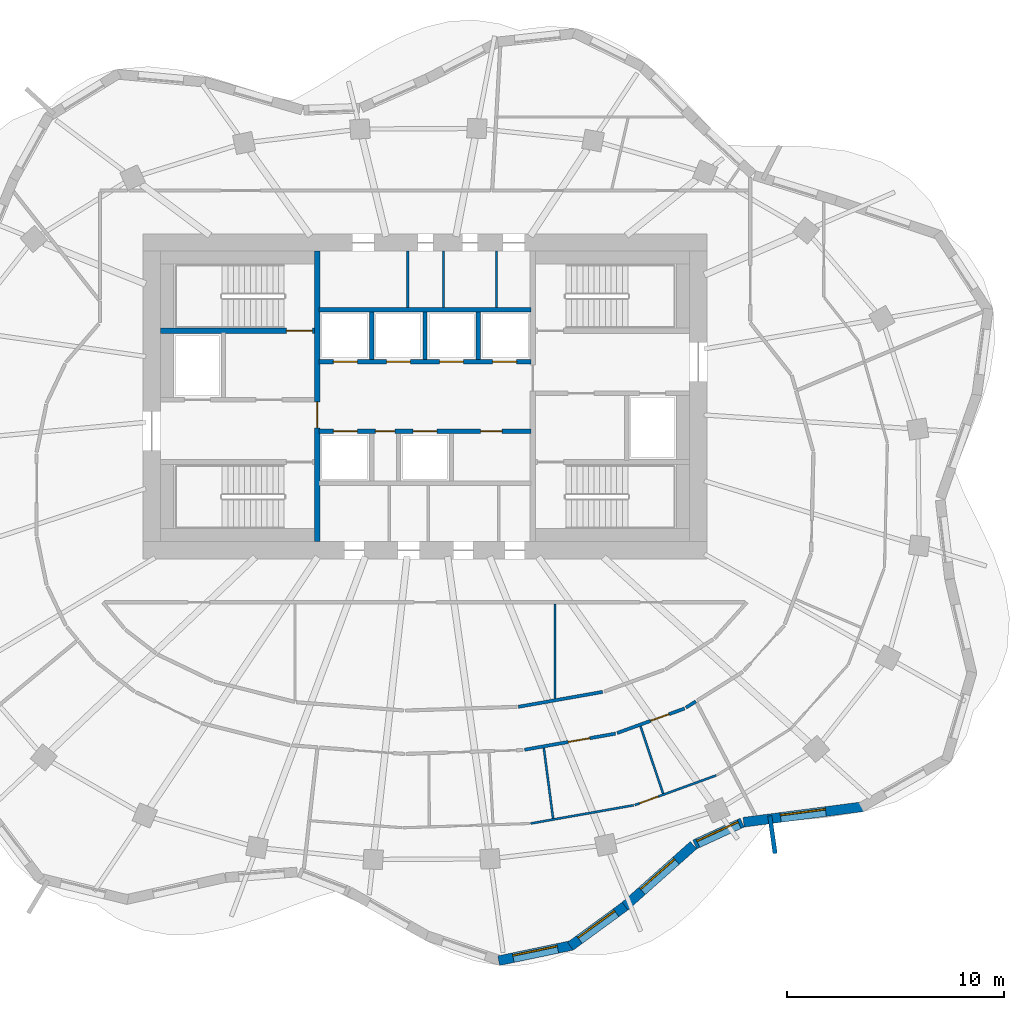
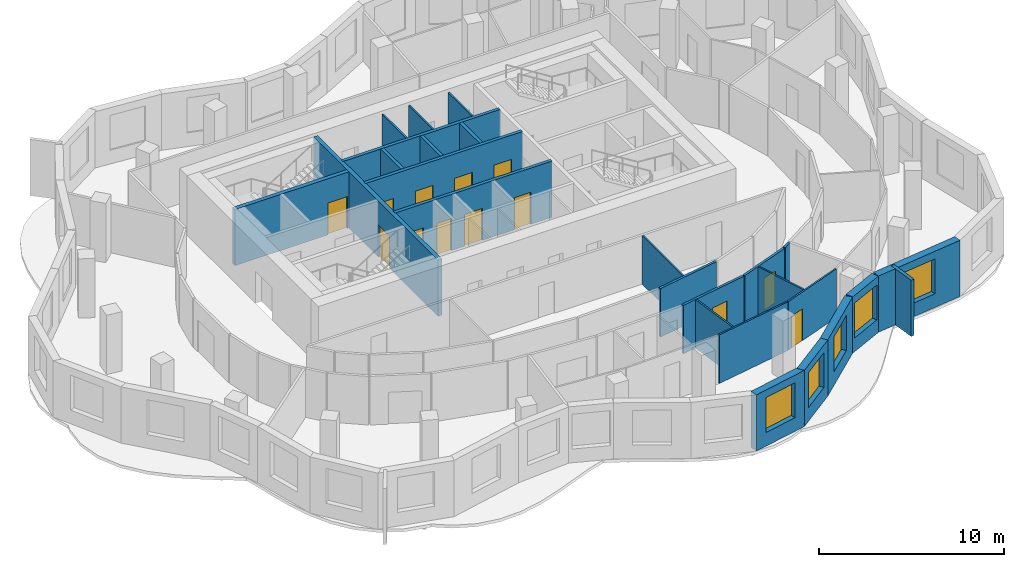
# One storey, part 5 of 9: 26 walls, 13 doors, 5 windows, 18 openings.
"""IFC4 building model written with IfcOpenShell, lengths in metres."""

import ifcopenshell
import ifcopenshell.guid

model = None  # the IFC model being written
_history = None  # IfcOwnerHistory: only IFC2X3 demands one
_inside = {}  # id of a spatial element -> (the spatial element, [elements in it])
_under = {}  # id of a project, library or spatial element -> (it, [spatial elements below it])
_declared = {}  # id of a project -> (the project, [libraries it declares])
_typed = {}  # id of a type object -> (the type object, [elements of that type])
_made_of = {}  # id of a material, layer set ... -> (it, [elements and type objects made of it])


def new_model(schema):
    """Start an empty IFC model of exactly this schema.

    Asked for "IFC4X3", IfcOpenShell would pick the latest addendum, in which some entities
    have other attributes; the version numbers below select the first issue.
    IFC2X3 requires an IfcOwnerHistory on every rooted entity: one is made here for all.
    """
    global model, _history
    if schema == "IFC4X3":
        model = ifcopenshell.file(schema_version=(4, 3, 0, 0))
    else:
        model = ifcopenshell.file(schema=schema)
    _inside.clear()
    _under.clear()
    _declared.clear()
    _typed.clear()
    _made_of.clear()
    _history = None
    if model.schema == "IFC2X3":
        org = make("IfcOrganization", Name="unknown")
        user = make(
            "IfcPersonAndOrganization",
            ThePerson=make("IfcPerson", FamilyName="unknown"),
            TheOrganization=org,
        )
        app = make(
            "IfcApplication",
            ApplicationDeveloper=org,
            Version="unknown",
            ApplicationFullName="unknown",
            ApplicationIdentifier="unknown",
        )
        _history = make(
            "IfcOwnerHistory",
            OwningUser=user,
            OwningApplication=app,
            ChangeAction="ADDED",
            CreationDate=0,
        )
    return model


def make(cls, **values):
    """One entity of the class cls with the attributes given. An attribute that is None is left unset."""
    return model.create_entity(
        cls, **{name: value for name, value in values.items() if value is not None}
    )


def rooted(cls, **values):
    """An entity with a GlobalId (a new one), such as an element, a storey or a relation."""
    return make(cls, GlobalId=ifcopenshell.guid.new(), OwnerHistory=_history, **values)


def si_unit(unit_type, name, prefix=None):
    """IfcSIUnit, for example si_unit("LENGTHUNIT", "METRE", prefix="MILLI")."""
    return make("IfcSIUnit", UnitType=unit_type, Prefix=prefix, Name=name)


def assignment(units):
    """IfcUnitAssignment: the units of a project."""
    return None if units is None else make("IfcUnitAssignment", Units=units)


def point(xyz):
    """IfcCartesianPoint."""
    return None if xyz is None else make("IfcCartesianPoint", Coordinates=xyz)


def direction(xyz):
    """IfcDirection."""
    return None if xyz is None else make("IfcDirection", DirectionRatios=xyz)


def frame(location, z_axis=None, x_axis=None):
    """IfcAxis2Placement3D, a coordinate frame: its origin and axes. An axis left out is left unset."""
    return make(
        "IfcAxis2Placement3D",
        Location=point(location),
        Axis=direction(z_axis),
        RefDirection=direction(x_axis),
    )


def frame_2d(location, x_axis=None):
    """IfcAxis2Placement2D, a coordinate frame in the plane: its origin and x axis."""
    return make(
        "IfcAxis2Placement2D", Location=point(location), RefDirection=direction(x_axis)
    )


def origin():
    """The frame at (0, 0, 0) with its axes left unset."""
    return frame((0.0, 0.0, 0.0))


def place(relative_to, where):
    """IfcLocalPlacement: puts the frame where relative to a parent placement (None: the world)."""
    return make(
        "IfcLocalPlacement", PlacementRelTo=relative_to, RelativePlacement=where
    )


def context(
    kind, dimensions, precision=None, world=None, true_north=None, identifier=None
):
    """IfcGeometricRepresentationContext, for example the 3D "Model" context."""
    return make(
        "IfcGeometricRepresentationContext",
        ContextIdentifier=identifier,
        ContextType=kind,
        CoordinateSpaceDimension=dimensions,
        Precision=precision,
        WorldCoordinateSystem=world,
        TrueNorth=true_north,
    )


def subcontext(parent, identifier, kind, view, scale=None):
    """IfcGeometricRepresentationSubContext, for example "Body" below "Model"."""
    return make(
        "IfcGeometricRepresentationSubContext",
        ContextIdentifier=identifier,
        ContextType=kind,
        ParentContext=parent,
        TargetScale=scale,
        TargetView=view,
    )


def project(units=None, contexts=None):
    """IfcProject with its units and contexts."""
    return rooted(
        "IfcProject",
        Name="project",
        RepresentationContexts=contexts,
        UnitsInContext=assignment(units),
    )


def spatial(cls, under=None, at=None, **own):
    """A site, building, storey or space (cls), placed at a placement, below another one or the project."""
    s = rooted(cls, ObjectPlacement=at, **own)
    if under is not None:
        _under.setdefault(under.id(), (under, []))[1].append(s)
    return s


def profile(cls, at=None, kind="AREA", **sizes):
    """A parametric profile (cls). Its sizes go by their IFC names, for example OverallWidth=200.0."""
    return make(cls, ProfileType=kind, Position=at, **sizes)


def rectangle(**sizes):
    """IfcRectangleProfileDef."""
    return profile("IfcRectangleProfileDef", **sizes)


def extrude(swept, where, along, depth):
    """IfcExtrudedAreaSolid: the profile swept, set in the frame where, extruded along a direction by depth."""
    return make(
        "IfcExtrudedAreaSolid",
        SweptArea=swept,
        Position=where,
        ExtrudedDirection=direction(along),
        Depth=depth,
    )


def shape(context_of_items, identifier, shape_type, items):
    """IfcShapeRepresentation: the items that make up one representation, for example the "Body"."""
    return make(
        "IfcShapeRepresentation",
        ContextOfItems=context_of_items,
        RepresentationIdentifier=identifier,
        RepresentationType=shape_type,
        Items=items,
    )


def material(Name=None, Category=None):
    """IfcMaterial."""
    return make("IfcMaterial", Name=Name, Category=Category)


def layer(
    of_material, thickness, ventilated=None, Name=None, Category=None, Priority=None
):
    """IfcMaterialLayer: one layer of a wall or slab, of a material (None: an air gap)."""
    return make(
        "IfcMaterialLayer",
        Material=of_material,
        LayerThickness=thickness,
        IsVentilated=ventilated,
        Name=Name,
        Category=Category,
        Priority=Priority,
    )


def layer_set(layers, Name=None):
    """IfcMaterialLayerSet."""
    return make("IfcMaterialLayerSet", MaterialLayers=layers, LayerSetName=Name)


def made_of(thing, what):
    """Note that an element or type object is made of a material, layer set ...; save() writes the relation."""
    if what is not None:
        _made_of.setdefault(what.id(), (what, []))[1].append(thing)
    return thing


def type_object(cls, material=None, **own):
    """A type object (cls), such as IfcWallType, which elements share."""
    return made_of(rooted(cls, **own), material)


def element(
    cls,
    number,
    at=None,
    inside=None,
    cuts=None,
    type_object=None,
    material=None,
    context=None,
    identifier="Body",
    shape_type=None,
    held_by="IfcProductDefinitionShape",
    body=None,
    shapes=None,
    **own,
):
    """One element of the class cls, such as IfcWall. Its Tag is "e" and its number.

    at: its placement. inside: the storey or other place that contains it. cuts: it is an
    opening in that element (IfcRelVoidsElement). A single representation is given by context,
    identifier, shape_type and body (its items); several are given by shapes. held_by: the class
    of the entity that holds the representations. save() writes the other relations.
    """
    e = rooted(cls, Tag="e%d" % number, ObjectPlacement=at, **own)
    if body is not None:
        shapes = [shape(context, identifier, shape_type, body)]
    if shapes is not None:
        e.Representation = make(held_by, Representations=shapes)
    if inside is not None:
        _inside.setdefault(inside.id(), (inside, []))[1].append(e)
    if cuts is not None:
        rooted(
            "IfcRelVoidsElement", RelatingBuildingElement=cuts, RelatedOpeningElement=e
        )
    if type_object is not None:
        _typed.setdefault(type_object.id(), (type_object, []))[1].append(e)
    return made_of(e, material)


def fill(opening, filler):
    """IfcRelFillsElement: the door or window that sits in an opening."""
    return rooted(
        "IfcRelFillsElement",
        RelatingOpeningElement=opening,
        RelatedBuildingElement=filler,
    )


def aggregate(whole, parts):
    """IfcRelAggregates: a whole, such as a stair, and the parts it consists of."""
    return rooted("IfcRelAggregates", RelatingObject=whole, RelatedObjects=parts)


def save(model, path):
    """Write the relations noted so far, then the file.

    IfcRelAggregates (storeys below a building ...), IfcRelContainedInSpatialStructure (elements
    in a storey), IfcRelDefinesByType, IfcRelAssociatesMaterial and IfcRelDeclares: one each for
    every whole, place, type object, material and project.
    """
    for whole, parts in _under.values():
        aggregate(whole, parts)
    for where, things in _inside.values():
        rooted(
            "IfcRelContainedInSpatialStructure",
            RelatedElements=things,
            RelatingStructure=where,
        )
    for kind, things in _typed.values():
        rooted("IfcRelDefinesByType", RelatedObjects=things, RelatingType=kind)
    for what, things in _made_of.values():
        rooted("IfcRelAssociatesMaterial", RelatedObjects=things, RelatingMaterial=what)
    for by, libraries in _declared.values():
        rooted("IfcRelDeclares", RelatingContext=by, RelatedDefinitions=libraries)
    model.write(path)


model = new_model("IFC4")

# Units and contexts
model_context = context("Model", 3, precision=1e-05, world=origin(), true_north=direction((0.0, 1.0)))
body_context = subcontext(model_context, "Body", "Model", "MODEL_VIEW")
ifc_project = project(units=[si_unit("LENGTHUNIT", "METRE"), si_unit("AREAUNIT", "SQUARE_METRE"), si_unit("VOLUMEUNIT", "CUBIC_METRE"), si_unit("PLANEANGLEUNIT", "RADIAN"), si_unit("MASSUNIT", "GRAM", prefix="KILO")], contexts=[model_context])

# Site, building, storey
site_placement = place(None, origin())
site = spatial("IfcSite", under=ifc_project, at=site_placement, CompositionType="ELEMENT")
building_placement = place(site_placement, origin())
building = spatial("IfcBuilding", under=site, at=building_placement, Name="Rubra Terraces Tower", CompositionType="ELEMENT")
storey_placement = place(building_placement, frame((0.0, 0.0, 284.39990234375)))
storey = spatial("IfcBuildingStorey", under=building, at=storey_placement, Name="L70", CompositionType="ELEMENT", Elevation=284.39990234375)

# Wall, opening, window
ifc_material_1 = material(Name="Brick masonry red-brown", Category="masonry")
ifc_layer_1 = layer(ifc_material_1, 0.449951171875)
ifc_layer_set_1 = layer_set([ifc_layer_1], Name="Brick masonry red-brown")
wall_type_1 = type_object("IfcWallType", Name="Brick facade wall 450", PredefinedType="SOLIDWALL", material=ifc_layer_set_1)
wall_1_placement = place(storey_placement, frame((3.39892578125, -21.53173828125, 0.0), z_axis=(0.0, 0.0, 1.0), x_axis=(0.978915912181, 0.204263645512, 0.0)))
wall_1 = element("IfcWall", 1, at=wall_1_placement, inside=storey, type_object=wall_type_1, Name="Facade wall L70 bay 32", PredefinedType="SOLIDWALL", context=body_context, shape_type="SweptSolid", body=[
    extrude(rectangle(XDim=3.466064453125, YDim=0.449951171875, at=frame_2d((1.73291015625, 0.0))), origin(), (0.0, 0.0, 1.0), 3.7001953125),
])
opening_1_placement = place(wall_1_placement, frame((0.68310546875, 0.0, 0.89990234375)))
opening_1 = element("IfcOpeningElement", 2, at=opening_1_placement, cuts=wall_1, Name="Opening W1B", PredefinedType="OPENING", context=body_context, shape_type="SweptSolid", body=[
    extrude(rectangle(XDim=2.10009765625, YDim=2.300048828125, at=frame_2d((1.050048828125, 1.14990234375))), frame((0.0, 0.23486328125, 0.0), z_axis=(0.0, -1.0, 0.0), x_axis=(1.0, 0.0, 0.0)), (0.0, 0.0, 1.0), 0.469970703125),
])
ifc_material_2 = material(Name="Clear glass in aluminium frame", Category="aluminium")
window_type = type_object("IfcWindowType", Name="Fixed deep-set window tall storey 2100 x 2300", PartitioningType="SINGLE_PANEL", PredefinedType="WINDOW", material=ifc_material_2)
window_1_placement = place(opening_1_placement, origin())
window_1 = element("IfcWindow", 3, at=window_1_placement, inside=storey, type_object=window_type, Name="Window L70 bay 32", OverallHeight=2.300048828125, OverallWidth=2.10009765625, PartitioningType="SINGLE_PANEL", PredefinedType="WINDOW", context=body_context, shape_type="SweptSolid", body=[
    extrude(rectangle(XDim=2.10009765625, YDim=2.300048828125, at=frame_2d((1.050048828125, 1.14990234375))), frame((0.0, 0.135009765625, 0.0), z_axis=(0.0, -1.0, 0.0), x_axis=(1.0, 0.0, 0.0)), (0.0, 0.0, 1.0), 0.06005859375),
])
fill(opening_1, window_1)

wall_2_placement = place(storey_placement, frame((6.705078125, -20.8623046875, 0.0), z_axis=(0.0, 0.0, 1.0), x_axis=(0.806921336267, 0.590658917716, 0.0)))
wall_2 = element("IfcWall", 4, at=wall_2_placement, inside=storey, type_object=wall_type_1, Name="Facade wall L70 bay 33", PredefinedType="SOLIDWALL", context=body_context, shape_type="SweptSolid", body=[
    extrude(rectangle(XDim=3.124755859375, YDim=0.449951171875, at=frame_2d((1.5625, 0.0))), origin(), (0.0, 0.0, 1.0), 3.7001953125),
])
opening_2_placement = place(wall_2_placement, frame((0.512451171875, 0.0, 0.89990234375)))
opening_2 = element("IfcOpeningElement", 5, at=opening_2_placement, cuts=wall_2, Name="Opening W1B", PredefinedType="OPENING", context=body_context, shape_type="SweptSolid", body=[
    extrude(rectangle(XDim=2.10009765625, YDim=2.300048828125, at=frame_2d((1.050048828125, 1.14990234375))), frame((0.0, 0.23486328125, 0.0), z_axis=(0.0, -1.0, 0.0), x_axis=(1.0, 0.0, 0.0)), (0.0, 0.0, 1.0), 0.469970703125),
])
window_2_placement = place(opening_2_placement, origin())
window_2 = element("IfcWindow", 6, at=window_2_placement, inside=storey, type_object=window_type, Name="Window L70 bay 33", OverallHeight=2.300048828125, OverallWidth=2.10009765625, PartitioningType="SINGLE_PANEL", PredefinedType="WINDOW", context=body_context, shape_type="SweptSolid", body=[
    extrude(rectangle(XDim=2.10009765625, YDim=2.300048828125, at=frame_2d((1.050048828125, 1.14990234375))), frame((0.0, 0.135009765625, 0.0), z_axis=(0.0, -1.0, 0.0), x_axis=(1.0, 0.0, 0.0)), (0.0, 0.0, 1.0), 0.06005859375),
])
fill(opening_2, window_2)

wall_3_placement = place(storey_placement, frame((9.2099609375, -19.030029296875, 0.0), z_axis=(0.0, 0.0, 1.0), x_axis=(0.747396648191, 0.664378092861, 0.0)))
wall_3 = element("IfcWall", 7, at=wall_3_placement, inside=storey, type_object=wall_type_1, Name="Facade wall L70 bay 34", PredefinedType="SOLIDWALL", context=body_context, shape_type="SweptSolid", body=[
    extrude(rectangle(XDim=4.25244140625, YDim=0.449951171875, at=frame_2d((2.126220703125, 0.0))), origin(), (0.0, 0.0, 1.0), 3.7001953125),
])
opening_3_placement = place(wall_3_placement, frame((1.076171875, 0.0, 0.89990234375)))
opening_3 = element("IfcOpeningElement", 8, at=opening_3_placement, cuts=wall_3, Name="Opening W1B", PredefinedType="OPENING", context=body_context, shape_type="SweptSolid", body=[
    extrude(rectangle(XDim=2.10009765625, YDim=2.300048828125, at=frame_2d((1.050048828125, 1.14990234375))), frame((0.0, 0.23486328125, 0.0), z_axis=(0.0, -1.0, 0.0), x_axis=(1.0, 0.0, 0.0)), (0.0, 0.0, 1.0), 0.469970703125),
])
window_3_placement = place(opening_3_placement, origin())
window_3 = element("IfcWindow", 9, at=window_3_placement, inside=storey, type_object=window_type, Name="Window L70 bay 34", OverallHeight=2.300048828125, OverallWidth=2.10009765625, PartitioningType="SINGLE_PANEL", PredefinedType="WINDOW", context=body_context, shape_type="SweptSolid", body=[
    extrude(rectangle(XDim=2.10009765625, YDim=2.300048828125, at=frame_2d((1.050048828125, 1.14990234375))), frame((0.0, 0.135009765625, 0.0), z_axis=(0.0, -1.0, 0.0), x_axis=(1.0, 0.0, 0.0)), (0.0, 0.0, 1.0), 0.06005859375),
])
fill(opening_3, window_3)

wall_4_placement = place(storey_placement, frame((12.443603515625, -16.168701171875, 0.0), z_axis=(0.0, 0.0, 1.0), x_axis=(0.908468904074, 0.417952449844, 0.0)))
wall_4 = element("IfcWall", 10, at=wall_4_placement, inside=storey, type_object=wall_type_1, Name="Facade wall L70 bay 35", PredefinedType="SOLIDWALL", context=body_context, shape_type="SweptSolid", body=[
    extrude(rectangle(XDim=2.408935546875, YDim=0.449951171875, at=frame_2d((1.20458984375, 0.0))), origin(), (0.0, 0.0, 1.0), 3.7001953125),
])
opening_4_placement = place(wall_4_placement, frame((0.154541015625, 0.0, 0.89990234375)))
opening_4 = element("IfcOpeningElement", 11, at=opening_4_placement, cuts=wall_4, Name="Opening W1B", PredefinedType="OPENING", context=body_context, shape_type="SweptSolid", body=[
    extrude(rectangle(XDim=2.10009765625, YDim=2.300048828125, at=frame_2d((1.050048828125, 1.14990234375))), frame((0.0, 0.23486328125, 0.0), z_axis=(0.0, -1.0, 0.0), x_axis=(1.0, 0.0, 0.0)), (0.0, 0.0, 1.0), 0.469970703125),
])
window_4_placement = place(opening_4_placement, origin())
window_4 = element("IfcWindow", 12, at=window_4_placement, inside=storey, type_object=window_type, Name="Window L70 bay 35", OverallHeight=2.300048828125, OverallWidth=2.10009765625, PartitioningType="SINGLE_PANEL", PredefinedType="WINDOW", context=body_context, shape_type="SweptSolid", body=[
    extrude(rectangle(XDim=2.10009765625, YDim=2.300048828125, at=frame_2d((1.050048828125, 1.14990234375))), frame((0.0, 0.135009765625, 0.0), z_axis=(0.0, -1.0, 0.0), x_axis=(1.0, 0.0, 0.0)), (0.0, 0.0, 1.0), 0.06005859375),
])
fill(opening_4, window_4)

wall_5_placement = place(storey_placement, frame((14.697265625, -15.143310546875, 0.0), z_axis=(0.0, 0.0, 1.0), x_axis=(0.991631798411, 0.129098320597, 0.0)))
wall_5 = element("IfcWall", 13, at=wall_5_placement, inside=storey, type_object=wall_type_1, Name="Facade wall L70 bay 36", PredefinedType="SOLIDWALL", context=body_context, shape_type="SweptSolid", body=[
    extrude(rectangle(XDim=5.546630859375, YDim=0.449951171875, at=frame_2d((2.7734375, 0.0))), origin(), (0.0, 0.0, 1.0), 3.7001953125),
])
opening_5_placement = place(wall_5_placement, frame((1.723388671875, 0.0, 0.89990234375)))
opening_5 = element("IfcOpeningElement", 14, at=opening_5_placement, cuts=wall_5, Name="Opening W1B", PredefinedType="OPENING", context=body_context, shape_type="SweptSolid", body=[
    extrude(rectangle(XDim=2.10009765625, YDim=2.300048828125, at=frame_2d((1.050048828125, 1.14990234375))), frame((0.0, 0.23486328125, 0.0), z_axis=(0.0, -1.0, 0.0), x_axis=(1.0, 0.0, 0.0)), (0.0, 0.0, 1.0), 0.469970703125),
])
window_5_placement = place(opening_5_placement, origin())
window_5 = element("IfcWindow", 15, at=window_5_placement, inside=storey, type_object=window_type, Name="Window L70 bay 36", OverallHeight=2.300048828125, OverallWidth=2.10009765625, PartitioningType="SINGLE_PANEL", PredefinedType="WINDOW", context=body_context, shape_type="SweptSolid", body=[
    extrude(rectangle(XDim=2.10009765625, YDim=2.300048828125, at=frame_2d((1.050048828125, 1.14990234375))), frame((0.0, 0.135009765625, 0.0), z_axis=(0.0, -1.0, 0.0), x_axis=(1.0, 0.0, 0.0)), (0.0, 0.0, 1.0), 0.06005859375),
])
fill(opening_5, window_5)

# Wall
ifc_layer_2 = layer(ifc_material_1, 0.199951171875)
ifc_layer_set_2 = layer_set([ifc_layer_2], Name="Brick masonry red-brown")
wall_type_2 = type_object("IfcWallType", Name="Brick wind fin 200", PredefinedType="SOLIDWALL", material=ifc_layer_set_2)
wall_6_placement = place(storey_placement, frame((15.905029296875, -14.85009765625, 0.0), z_axis=(0.0, 0.0, 1.0), x_axis=(0.140913490987, -0.990021912918, 0.0)))
element("IfcWall", 16, at=wall_6_placement, inside=storey, type_object=wall_type_2, Name="Wind fin L70 18", PredefinedType="SOLIDWALL", context=body_context, shape_type="SweptSolid", body=[
    extrude(rectangle(XDim=1.75, YDim=0.199951171875, at=frame_2d((0.875, 0.0))), origin(), (0.0, 0.0, 1.0), 3.7001953125),
])

# Wall, opening, door
ifc_material_3 = material(Name="Plasterboard on steel stud, mineral wool infill", Category="steel")
ifc_layer_3 = layer(ifc_material_3, 0.14990234375)
ifc_layer_set_3 = layer_set([ifc_layer_3], Name="Plasterboard on steel stud, mineral wool infill")
wall_type_3 = type_object("IfcWallType", Name="CORRIDOR PARTITION 150", PredefinedType="PARTITIONING", material=ifc_layer_set_3)
wall_7_placement = place(storey_placement, frame((4.593505859375, -11.798583984375, 0.0), z_axis=(0.0, 0.0, 1.0), x_axis=(0.984693444773, 0.174295208833, 0.0)))
wall_7 = element("IfcWall", 17, at=wall_7_placement, inside=storey, type_object=wall_type_3, Name="PARTITION", PredefinedType="PARTITIONING", context=body_context, shape_type="SweptSolid", body=[
    extrude(rectangle(XDim=4.260986328125, YDim=0.14990234375, at=frame_2d((2.13037109375, 0.0))), origin(), (0.0, 0.0, 1.0), 3.197998046875),
])
opening_6_placement = place(wall_7_placement, frame((2.050048828125, 0.0, 0.0)))
opening_6 = element("IfcOpeningElement", 18, at=opening_6_placement, cuts=wall_7, Name="Opening 70-117", PredefinedType="OPENING", context=body_context, shape_type="SweptSolid", body=[
    extrude(rectangle(XDim=1.0, YDim=2.10009765625, at=frame_2d((0.5, 1.050048828125))), frame((0.0, 0.0849609375, 0.0), z_axis=(0.0, -1.0, 0.0), x_axis=(1.0, 0.0, 0.0)), (0.0, 0.0, 1.0), 0.169921875),
])
ifc_material_4 = material(Name="Painted timber door leaf", Category="wood")
door_type_1 = type_object("IfcDoorType", Name="ROOM DOOR 1000 X 2100", OperationType="SINGLE_SWING_LEFT", PredefinedType="DOOR", material=ifc_material_4)
door_1_placement = place(opening_6_placement, origin())
door_1 = element("IfcDoor", 19, at=door_1_placement, inside=storey, type_object=door_type_1, Name="DOOR 70-117", OperationType="SINGLE_SWING_RIGHT", OverallHeight=2.10009765625, OverallWidth=1.0, PredefinedType="DOOR", context=body_context, shape_type="SweptSolid", body=[
    extrude(rectangle(XDim=1.0, YDim=2.10009765625, at=frame_2d((0.5, 1.050048828125))), frame((0.0, 0.02490234375, 0.0), z_axis=(0.0, -1.0, 0.0), x_axis=(1.0, 0.0, 0.0)), (0.0, 0.0, 1.0), 0.050048828125),
])
fill(opening_6, door_1)

wall_8_placement = place(storey_placement, frame((8.85986328125, -11.030029296875, 0.0), z_axis=(0.0, 0.0, 1.0), x_axis=(0.939685902536, 0.342038601001, 0.0)))
wall_8 = element("IfcWall", 20, at=wall_8_placement, inside=storey, type_object=wall_type_3, Name="PARTITION", PredefinedType="PARTITIONING", context=body_context, shape_type="SweptSolid", body=[
    extrude(rectangle(XDim=3.316162109375, YDim=0.14990234375, at=frame_2d((1.658203125, 0.0))), origin(), (0.0, 0.0, 1.0), 3.197998046875),
])
opening_7_placement = place(wall_8_placement, frame((1.64990234375, 0.0, 0.0)))
opening_7 = element("IfcOpeningElement", 21, at=opening_7_placement, cuts=wall_8, Name="Opening 70-118", PredefinedType="OPENING", context=body_context, shape_type="SweptSolid", body=[
    extrude(rectangle(XDim=0.89990234375, YDim=2.10009765625, at=frame_2d((0.449951171875, 1.050048828125))), frame((0.0, 0.0849609375, 0.0), z_axis=(0.0, -1.0, 0.0), x_axis=(1.0, 0.0, 0.0)), (0.0, 0.0, 1.0), 0.169921875),
])
door_type_2 = type_object("IfcDoorType", Name="BATHROOM DOOR 900 X 2100", OperationType="SINGLE_SWING_LEFT", PredefinedType="DOOR", material=ifc_material_4)
door_2_placement = place(opening_7_placement, origin())
door_2 = element("IfcDoor", 22, at=door_2_placement, inside=storey, type_object=door_type_2, Name="DOOR 70-118", OperationType="SINGLE_SWING_RIGHT", OverallHeight=2.10009765625, OverallWidth=0.89990234375, PredefinedType="DOOR", context=body_context, shape_type="SweptSolid", body=[
    extrude(rectangle(XDim=0.89990234375, YDim=2.10009765625, at=frame_2d((0.449951171875, 1.050048828125))), frame((0.0, 0.02490234375, 0.0), z_axis=(0.0, -1.0, 0.0), x_axis=(1.0, 0.0, 0.0)), (0.0, 0.0, 1.0), 0.050048828125),
])
fill(opening_7, door_2)

# Walls
wall_9_placement = place(storey_placement, frame((12.03955078125, -9.85595703125, 0.0), z_axis=(0.0, 0.0, 1.0), x_axis=(0.846240393033, 0.532801273647, 0.0)))
element("IfcWall", 23, at=wall_9_placement, inside=storey, type_object=wall_type_3, Name="PARTITION", PredefinedType="PARTITIONING", context=body_context, shape_type="SweptSolid", body=[
    extrude(rectangle(XDim=0.539794921875, YDim=0.14990234375, at=frame_2d((0.27001953125, 0.0))), origin(), (0.0, 0.0, 1.0), 3.197998046875),
])
wall_10_placement = place(storey_placement, frame((8.1953125, -9.1298828125, 0.0), z_axis=(0.0, 0.0, 1.0), x_axis=(-0.9846880937, -0.174325437403, 0.0)))
element("IfcWall", 24, at=wall_10_placement, inside=storey, type_object=wall_type_3, Name="PARTITION", PredefinedType="PARTITIONING", context=body_context, shape_type="SweptSolid", body=[
    extrude(rectangle(XDim=3.945068359375, YDim=0.14990234375, at=frame_2d((1.97265625, 0.0))), origin(), (0.0, 0.0, 1.0), 3.197998046875),
])

# Wall, openings, doors
ifc_material_5 = material(Name="Concrete C30", Category="concrete")
ifc_layer_4 = layer(ifc_material_5, 0.199951171875)
ifc_layer_set_4 = layer_set([ifc_layer_4], Name="Concrete C30")
wall_type_4 = type_object("IfcWallType", Name="Core wall 200 concrete", PredefinedType="SOLIDWALL", material=ifc_layer_set_4)
wall_11_placement = place(storey_placement, frame((-4.89990234375, 2.89990234375, 0.0), z_axis=(0.0, 0.0, 1.0), x_axis=(1.0, 0.0, 0.0)))
wall_11 = element("IfcWall", 25, at=wall_11_placement, inside=storey, type_object=wall_type_4, Name="LIFT SHAFT WALL L70", PredefinedType="SOLIDWALL", context=body_context, shape_type="SweptSolid", body=[
    extrude(rectangle(XDim=9.7998046875, YDim=0.199951171875, at=frame_2d((4.89990234375, 0.0))), origin(), (0.0, 0.0, 1.0), 3.7001953125),
])
opening_8_placement = place(wall_11_placement, frame((0.675048828125, 0.0, 0.0)))
opening_8 = element("IfcOpeningElement", 26, at=opening_8_placement, cuts=wall_11, Name="Opening L70.C13", PredefinedType="OPENING", context=body_context, shape_type="SweptSolid", body=[
    extrude(rectangle(XDim=1.10009765625, YDim=2.10009765625, at=frame_2d((0.550048828125, 1.050048828125))), frame((0.0, 0.10986328125, 0.0), z_axis=(0.0, -1.0, 0.0), x_axis=(1.0, 0.0, 0.0)), (0.0, 0.0, 1.0), 0.219970703125),
])
opening_9_placement = place(wall_11_placement, frame((2.613037109375, 0.0, 0.0)))
opening_9 = element("IfcOpeningElement", 27, at=opening_9_placement, cuts=wall_11, Name="Opening L70.C14", PredefinedType="OPENING", context=body_context, shape_type="SweptSolid", body=[
    extrude(rectangle(XDim=0.89990234375, YDim=2.10009765625, at=frame_2d((0.449951171875, 1.050048828125))), frame((0.0, 0.10986328125, 0.0), z_axis=(0.0, -1.0, 0.0), x_axis=(1.0, 0.0, 0.0)), (0.0, 0.0, 1.0), 0.219970703125),
])
opening_10_placement = place(wall_11_placement, frame((4.35009765625, 0.0, 0.0)))
opening_10 = element("IfcOpeningElement", 28, at=opening_10_placement, cuts=wall_11, Name="Opening L70.C15", PredefinedType="OPENING", context=body_context, shape_type="SweptSolid", body=[
    extrude(rectangle(XDim=1.10009765625, YDim=2.10009765625, at=frame_2d((0.550048828125, 1.050048828125))), frame((0.0, 0.10986328125, 0.0), z_axis=(0.0, -1.0, 0.0), x_axis=(1.0, 0.0, 0.0)), (0.0, 0.0, 1.0), 0.219970703125),
])
opening_11_placement = place(wall_11_placement, frame((7.462890625, 0.0, 0.0)))
opening_11 = element("IfcOpeningElement", 29, at=opening_11_placement, cuts=wall_11, Name="Opening L70.C16", PredefinedType="OPENING", context=body_context, shape_type="SweptSolid", body=[
    extrude(rectangle(XDim=1.0, YDim=2.10009765625, at=frame_2d((0.5, 1.050048828125))), frame((0.0, 0.10986328125, 0.0), z_axis=(0.0, -1.0, 0.0), x_axis=(1.0, 0.0, 0.0)), (0.0, 0.0, 1.0), 0.219970703125),
])
ifc_material_6 = material(Name="Painted steel", Category="steel")
door_type_3 = type_object("IfcDoorType", Name="Fire door 1000x2100 single", OperationType="NOTDEFINED", PredefinedType="DOOR", material=ifc_material_6)
door_3_placement = place(opening_11_placement, origin())
door_3 = element("IfcDoor", 30, at=door_3_placement, inside=storey, type_object=door_type_3, Name="Security and building control room door", OperationType="SINGLE_SWING_RIGHT", OverallHeight=2.10009765625, OverallWidth=1.0, PredefinedType="DOOR", context=body_context, shape_type="SweptSolid", body=[
    extrude(rectangle(XDim=1.0, YDim=2.10009765625, at=frame_2d((0.5, 1.050048828125))), frame((0.0, 0.02490234375, 0.0), z_axis=(0.0, -1.0, 0.0), x_axis=(1.0, 0.0, 0.0)), (0.0, 0.0, 1.0), 0.050048828125),
])
fill(opening_11, door_3)
door_type_4 = type_object("IfcDoorType", Name="Fire door 900x2100 single", OperationType="NOTDEFINED", PredefinedType="DOOR", material=ifc_material_6)
door_4_placement = place(opening_9_placement, origin())
door_4 = element("IfcDoor", 31, at=door_4_placement, inside=storey, type_object=door_type_4, Name="Cleaner's store door", OperationType="SINGLE_SWING_RIGHT", OverallHeight=2.10009765625, OverallWidth=0.89990234375, PredefinedType="DOOR", context=body_context, shape_type="SweptSolid", body=[
    extrude(rectangle(XDim=0.89990234375, YDim=2.10009765625, at=frame_2d((0.449951171875, 1.050048828125))), frame((0.0, 0.02490234375, 0.0), z_axis=(0.0, -1.0, 0.0), x_axis=(1.0, 0.0, 0.0)), (0.0, 0.0, 1.0), 0.050048828125),
])
fill(opening_9, door_4)
ifc_material_7 = material(Name="Stainless steel", Category="steel")
door_type_5 = type_object("IfcDoorType", Name="Lift landing door 1100x2100", OperationType="NOTDEFINED", PredefinedType="DOOR", material=ifc_material_7)
door_5_placement = place(opening_8_placement, origin())
door_5 = element("IfcDoor", 32, at=door_5_placement, inside=storey, type_object=door_type_5, Name="Landing door HB1", OperationType="SLIDING_TO_RIGHT", OverallHeight=2.10009765625, OverallWidth=1.10009765625, PredefinedType="DOOR", context=body_context, shape_type="SweptSolid", body=[
    extrude(rectangle(XDim=1.10009765625, YDim=2.10009765625, at=frame_2d((0.550048828125, 1.050048828125))), frame((0.0, 0.02490234375, 0.0), z_axis=(0.0, -1.0, 0.0), x_axis=(1.0, 0.0, 0.0)), (0.0, 0.0, 1.0), 0.050048828125),
])
fill(opening_8, door_5)
door_6_placement = place(opening_10_placement, origin())
door_6 = element("IfcDoor", 33, at=door_6_placement, inside=storey, type_object=door_type_5, Name="Landing door HB2", OperationType="SLIDING_TO_LEFT", OverallHeight=2.10009765625, OverallWidth=1.10009765625, PredefinedType="DOOR", context=body_context, shape_type="SweptSolid", body=[
    extrude(rectangle(XDim=1.10009765625, YDim=2.10009765625, at=frame_2d((0.550048828125, 1.050048828125))), frame((0.0, 0.02490234375, 0.0), z_axis=(0.0, -1.0, 0.0), x_axis=(1.0, 0.0, 0.0)), (0.0, 0.0, 1.0), 0.050048828125),
])
fill(opening_10, door_6)

wall_12_placement = place(storey_placement, frame((-4.89990234375, 6.10009765625, 0.0), z_axis=(0.0, 0.0, 1.0), x_axis=(1.0, 0.0, 0.0)))
wall_12 = element("IfcWall", 34, at=wall_12_placement, inside=storey, type_object=wall_type_4, Name="LIFT SHAFT WALL L70", PredefinedType="SOLIDWALL", context=body_context, shape_type="SweptSolid", body=[
    extrude(rectangle(XDim=9.7998046875, YDim=0.199951171875, at=frame_2d((4.89990234375, 0.0))), origin(), (0.0, 0.0, 1.0), 3.7001953125),
])
opening_12_placement = place(wall_12_placement, frame((0.675048828125, 0.0, 0.0)))
opening_12 = element("IfcOpeningElement", 35, at=opening_12_placement, cuts=wall_12, Name="Opening L70.C17", PredefinedType="OPENING", context=body_context, shape_type="SweptSolid", body=[
    extrude(rectangle(XDim=1.10009765625, YDim=2.10009765625, at=frame_2d((0.550048828125, 1.050048828125))), frame((0.0, 0.10986328125, 0.0), z_axis=(0.0, -1.0, 0.0), x_axis=(1.0, 0.0, 0.0)), (0.0, 0.0, 1.0), 0.219970703125),
])
opening_13_placement = place(wall_12_placement, frame((3.125, 0.0, 0.0)))
opening_13 = element("IfcOpeningElement", 36, at=opening_13_placement, cuts=wall_12, Name="Opening L70.C18", PredefinedType="OPENING", context=body_context, shape_type="SweptSolid", body=[
    extrude(rectangle(XDim=1.10009765625, YDim=2.10009765625, at=frame_2d((0.550048828125, 1.050048828125))), frame((0.0, 0.10986328125, 0.0), z_axis=(0.0, -1.0, 0.0), x_axis=(1.0, 0.0, 0.0)), (0.0, 0.0, 1.0), 0.219970703125),
])
opening_14_placement = place(wall_12_placement, frame((5.574951171875, 0.0, 0.0)))
opening_14 = element("IfcOpeningElement", 37, at=opening_14_placement, cuts=wall_12, Name="Opening L70.C19", PredefinedType="OPENING", context=body_context, shape_type="SweptSolid", body=[
    extrude(rectangle(XDim=1.10009765625, YDim=2.10009765625, at=frame_2d((0.550048828125, 1.050048828125))), frame((0.0, 0.10986328125, 0.0), z_axis=(0.0, -1.0, 0.0), x_axis=(1.0, 0.0, 0.0)), (0.0, 0.0, 1.0), 0.219970703125),
])
opening_15_placement = place(wall_12_placement, frame((8.02490234375, 0.0, 0.0)))
opening_15 = element("IfcOpeningElement", 38, at=opening_15_placement, cuts=wall_12, Name="Opening L70.C20", PredefinedType="OPENING", context=body_context, shape_type="SweptSolid", body=[
    extrude(rectangle(XDim=1.10009765625, YDim=2.10009765625, at=frame_2d((0.550048828125, 1.050048828125))), frame((0.0, 0.10986328125, 0.0), z_axis=(0.0, -1.0, 0.0), x_axis=(1.0, 0.0, 0.0)), (0.0, 0.0, 1.0), 0.219970703125),
])
door_7_placement = place(opening_12_placement, origin())
door_7 = element("IfcDoor", 39, at=door_7_placement, inside=storey, type_object=door_type_5, Name="Landing door HB3", OperationType="SLIDING_TO_RIGHT", OverallHeight=2.10009765625, OverallWidth=1.10009765625, PredefinedType="DOOR", context=body_context, shape_type="SweptSolid", body=[
    extrude(rectangle(XDim=1.10009765625, YDim=2.10009765625, at=frame_2d((0.550048828125, 1.050048828125))), frame((0.0, 0.02490234375, 0.0), z_axis=(0.0, -1.0, 0.0), x_axis=(1.0, 0.0, 0.0)), (0.0, 0.0, 1.0), 0.050048828125),
])
fill(opening_12, door_7)
door_8_placement = place(opening_13_placement, origin())
door_8 = element("IfcDoor", 40, at=door_8_placement, inside=storey, type_object=door_type_5, Name="Landing door HB4", OperationType="SLIDING_TO_LEFT", OverallHeight=2.10009765625, OverallWidth=1.10009765625, PredefinedType="DOOR", context=body_context, shape_type="SweptSolid", body=[
    extrude(rectangle(XDim=1.10009765625, YDim=2.10009765625, at=frame_2d((0.550048828125, 1.050048828125))), frame((0.0, 0.02490234375, 0.0), z_axis=(0.0, -1.0, 0.0), x_axis=(1.0, 0.0, 0.0)), (0.0, 0.0, 1.0), 0.050048828125),
])
fill(opening_13, door_8)
door_9_placement = place(opening_14_placement, origin())
door_9 = element("IfcDoor", 41, at=door_9_placement, inside=storey, type_object=door_type_5, Name="Landing door HB5", OperationType="SLIDING_TO_RIGHT", OverallHeight=2.10009765625, OverallWidth=1.10009765625, PredefinedType="DOOR", context=body_context, shape_type="SweptSolid", body=[
    extrude(rectangle(XDim=1.10009765625, YDim=2.10009765625, at=frame_2d((0.550048828125, 1.050048828125))), frame((0.0, 0.02490234375, 0.0), z_axis=(0.0, -1.0, 0.0), x_axis=(1.0, 0.0, 0.0)), (0.0, 0.0, 1.0), 0.050048828125),
])
fill(opening_14, door_9)
door_10_placement = place(opening_15_placement, origin())
door_10 = element("IfcDoor", 42, at=door_10_placement, inside=storey, type_object=door_type_5, Name="Landing door HB6", OperationType="SLIDING_TO_LEFT", OverallHeight=2.10009765625, OverallWidth=1.10009765625, PredefinedType="DOOR", context=body_context, shape_type="SweptSolid", body=[
    extrude(rectangle(XDim=1.10009765625, YDim=2.10009765625, at=frame_2d((0.550048828125, 1.050048828125))), frame((0.0, 0.02490234375, 0.0), z_axis=(0.0, -1.0, 0.0), x_axis=(1.0, 0.0, 0.0)), (0.0, 0.0, 1.0), 0.050048828125),
])
fill(opening_15, door_10)

# Walls
wall_13_placement = place(storey_placement, frame((-4.89990234375, 8.5, 0.0), z_axis=(0.0, 0.0, 1.0), x_axis=(1.0, 0.0, 0.0)))
element("IfcWall", 43, at=wall_13_placement, inside=storey, type_object=wall_type_4, Name="LIFT SHAFT WALL L70", PredefinedType="SOLIDWALL", context=body_context, shape_type="SweptSolid", body=[
    extrude(rectangle(XDim=9.7998046875, YDim=0.199951171875, at=frame_2d((4.89990234375, 0.0))), origin(), (0.0, 0.0, 1.0), 3.7001953125),
])
for number, where, z_axis, x_axis, name in (
    (44, (-2.449951171875, 6.199951171875, 0.0), (0.0, 0.0, 1.0), (0.0, 1.0, 0.0), "LIFT SHAFT WALL L70"),
    (45, (0.0, 6.199951171875, 0.0), (0.0, 0.0, 1.0), (0.0, 1.0, 0.0), "LIFT SHAFT WALL L70"),
    (46, (2.449951171875, 6.199951171875, 0.0), (0.0, 0.0, 1.0), (0.0, 1.0, 0.0), "LIFT SHAFT WALL L70"),
):
    element("IfcWall", number, at=place(storey_placement, frame(where, z_axis=z_axis, x_axis=x_axis)), inside=storey, type_object=wall_type_4, Name=name, PredefinedType="SOLIDWALL", context=body_context, shape_type="SweptSolid", body=[
        extrude(rectangle(XDim=2.199951171875, YDim=0.199951171875, at=frame_2d((1.10009765625, 0.0))), origin(), (0.0, 0.0, 1.0), 3.7001953125),
    ])

# Wall, opening, door
ifc_material_8 = material(Name="Plasterboard on steel stud", Category="steel")
ifc_layer_5 = layer(ifc_material_8, 0.10009765625)
ifc_layer_set_5 = layer_set([ifc_layer_5], Name="Plasterboard on steel stud")
wall_type_5 = type_object("IfcWallType", Name="ROOM PARTITION 100", PredefinedType="PARTITIONING", material=ifc_layer_set_5)
wall_14_placement = place(storey_placement, frame((13.432861328125, -12.983642578125, 0.0), z_axis=(0.0, 0.0, 1.0), x_axis=(-0.939673979614, -0.342071355182, 0.0)))
wall_14 = element("IfcWall", 47, at=wall_14_placement, inside=storey, type_object=wall_type_5, Name="PARTITION", PredefinedType="PARTITIONING", context=body_context, shape_type="SweptSolid", body=[
    extrude(rectangle(XDim=4.000244140625, YDim=0.10009765625, at=frame_2d((2.0, 0.0))), origin(), (0.0, 0.0, 1.0), 3.197998046875),
])
opening_16_placement = place(wall_14_placement, frame((2.85009765625, 0.0, 0.0)))
opening_16 = element("IfcOpeningElement", 48, at=opening_16_placement, cuts=wall_14, Name="Opening 70-106", PredefinedType="OPENING", context=body_context, shape_type="SweptSolid", body=[
    extrude(rectangle(XDim=0.89990234375, YDim=2.10009765625, at=frame_2d((0.449951171875, 1.050048828125))), frame((0.0, 0.06005859375, 0.0), z_axis=(0.0, -1.0, 0.0), x_axis=(1.0, 0.0, 0.0)), (0.0, 0.0, 1.0), 0.1201171875),
])
door_type_6 = type_object("IfcDoorType", Name="ROOM DOOR 900 X 2100", OperationType="SINGLE_SWING_LEFT", PredefinedType="DOOR", material=ifc_material_4)
door_11_placement = place(opening_16_placement, origin())
door_11 = element("IfcDoor", 49, at=door_11_placement, inside=storey, type_object=door_type_6, Name="DOOR 70-106", OperationType="SINGLE_SWING_RIGHT", OverallHeight=2.10009765625, OverallWidth=0.89990234375, PredefinedType="DOOR", context=body_context, shape_type="SweptSolid", body=[
    extrude(rectangle(XDim=0.89990234375, YDim=2.10009765625, at=frame_2d((0.449951171875, 1.050048828125))), frame((0.0, 0.02490234375, 0.0), z_axis=(0.0, -1.0, 0.0), x_axis=(1.0, 0.0, 0.0)), (0.0, 0.0, 1.0), 0.050048828125),
])
fill(opening_16, door_11)

# Walls
wall_15_placement = place(storey_placement, frame((9.624755859375, -14.36083984375, 0.0), z_axis=(0.0, 0.0, 1.0), x_axis=(-0.984691710098, -0.174305008716, 0.0)))
element("IfcWall", 50, at=wall_15_placement, inside=storey, type_object=wall_type_5, Name="PARTITION", PredefinedType="PARTITIONING", context=body_context, shape_type="SweptSolid", body=[
    extrude(rectangle(XDim=4.82373046875, YDim=0.10009765625, at=frame_2d((2.411865234375, 0.0))), origin(), (0.0, 0.0, 1.0), 3.197998046875),
])
wall_16_placement = place(storey_placement, frame((5.481689453125, -11.717529296875, 0.0), z_axis=(0.0, 0.0, 1.0), x_axis=(0.130173255727, -0.991491262439, 0.0)))
element("IfcWall", 51, at=wall_16_placement, inside=storey, type_object=wall_type_5, Name="PARTITION", PredefinedType="PARTITIONING", context=body_context, shape_type="SweptSolid", body=[
    extrude(rectangle(XDim=3.2783203125, YDim=0.10009765625, at=frame_2d((1.63916015625, 0.0))), origin(), (0.0, 0.0, 1.0), 3.197998046875),
])
wall_17_placement = place(storey_placement, frame((9.939697265625, -10.716796875, 0.0), z_axis=(0.0, 0.0, 1.0), x_axis=(0.318730603816, -0.947845347191, 0.0)))
element("IfcWall", 52, at=wall_17_placement, inside=storey, type_object=wall_type_5, Name="PARTITION", PredefinedType="PARTITIONING", context=body_context, shape_type="SweptSolid", body=[
    extrude(rectangle(XDim=3.276123046875, YDim=0.10009765625, at=frame_2d((1.63818359375, 0.0))), origin(), (0.0, 0.0, 1.0), 3.197998046875),
])
wall_18_placement = place(storey_placement, frame((6.0, -9.443603515625, 0.0), z_axis=(0.0, 0.0, 1.0), x_axis=(0.0, 1.0, 0.0)))
element("IfcWall", 53, at=wall_18_placement, inside=storey, type_object=wall_type_5, Name="PARTITION", PredefinedType="PARTITIONING", context=body_context, shape_type="SweptSolid", body=[
    extrude(rectangle(XDim=4.36865234375, YDim=0.10009765625, at=frame_2d((2.184326171875, 0.0))), origin(), (0.0, 0.0, 1.0), 3.197998046875),
])
ifc_material_9 = material(Name="Blockwork", Category="masonry")
ifc_layer_6 = layer(ifc_material_9, 0.10009765625)
ifc_layer_set_6 = layer_set([ifc_layer_6], Name="Blockwork")
wall_type_6 = type_object("IfcWallType", Name="Service partition 100 blockwork", PredefinedType="PARTITIONING", material=ifc_layer_set_6)
for number, where, z_axis, x_axis, name in (
    (54, (-0.800048828125, 8.60009765625, 0.0), (0.0, 0.0, 1.0), (0.0, 1.0, 0.0), "SERVICE ROOM PARTITION L70"),
    (55, (0.85009765625, 8.60009765625, 0.0), (0.0, 0.0, 1.0), (0.0, 1.0, 0.0), "SERVICE ROOM PARTITION L70"),
    (56, (3.300048828125, 8.60009765625, 0.0), (0.0, 0.0, 1.0), (0.0, 1.0, 0.0), "SERVICE ROOM PARTITION L70"),
):
    element("IfcWall", number, at=place(storey_placement, frame(where, z_axis=z_axis, x_axis=x_axis)), inside=storey, type_object=wall_type_6, Name=name, PredefinedType="PARTITIONING", context=body_context, shape_type="SweptSolid", body=[
        extrude(rectangle(XDim=2.599853515625, YDim=0.10009765625, at=frame_2d((1.2998046875, 0.0))), origin(), (0.0, 0.0, 1.0), 3.7001953125),
    ])

# Wall, opening, door
ifc_material_10 = material(Name="Concrete C40", Category="concrete")
ifc_layer_7 = layer(ifc_material_10, 0.25)
ifc_layer_set_7 = layer_set([ifc_layer_7], Name="Concrete C40")
wall_type_7 = type_object("IfcWallType", Name="Stair enclosure wall 250 concrete", PredefinedType="SOLIDWALL", material=ifc_layer_set_7)
wall_19_placement = place(storey_placement, frame((-12.199951171875, 7.52490234375, 0.0), z_axis=(0.0, 0.0, 1.0), x_axis=(1.0, 0.0, 0.0)))
wall_19 = element("IfcWall", 57, at=wall_19_placement, inside=storey, type_object=wall_type_7, Name="STAIR WALL L70", PredefinedType="SOLIDWALL", context=body_context, shape_type="SweptSolid", body=[
    extrude(rectangle(XDim=7.099853515625, YDim=0.25, at=frame_2d((3.5498046875, 0.0))), origin(), (0.0, 0.0, 1.0), 3.7001953125),
])
opening_17_placement = place(wall_19_placement, frame((5.800048828125, 0.0, 0.0)))
opening_17 = element("IfcOpeningElement", 58, at=opening_17_placement, cuts=wall_19, Name="Opening L70.C09", PredefinedType="OPENING", context=body_context, shape_type="SweptSolid", body=[
    extrude(rectangle(XDim=1.199951171875, YDim=2.10009765625, at=frame_2d((0.60009765625, 1.050048828125))), frame((0.0, 0.135009765625, 0.0), z_axis=(0.0, -1.0, 0.0), x_axis=(1.0, 0.0, 0.0)), (0.0, 0.0, 1.0), 0.27001953125),
])
door_type_7 = type_object("IfcDoorType", Name="Fire door 1200x2100 single", OperationType="NOTDEFINED", PredefinedType="DOOR", material=ifc_material_6)
door_12_placement = place(opening_17_placement, origin())
door_12 = element("IfcDoor", 59, at=door_12_placement, inside=storey, type_object=door_type_7, Name="Stair door S2", OperationType="SINGLE_SWING_LEFT", OverallHeight=2.10009765625, OverallWidth=1.199951171875, PredefinedType="DOOR", context=body_context, shape_type="SweptSolid", body=[
    extrude(rectangle(XDim=1.199951171875, YDim=2.10009765625, at=frame_2d((0.60009765625, 1.050048828125))), frame((0.0, 0.02490234375, 0.0), z_axis=(0.0, -1.0, 0.0), x_axis=(1.0, 0.0, 0.0)), (0.0, 0.0, 1.0), 0.050048828125),
])
fill(opening_17, door_12)

wall_20_placement = place(storey_placement, frame((-4.97509765625, -2.199951171875, 0.0), z_axis=(0.0, 0.0, 1.0), x_axis=(0.0, 1.0, 0.0)))
wall_20 = element("IfcWall", 60, at=wall_20_placement, inside=storey, type_object=wall_type_7, Name="CORE LOBBY WALL L70", PredefinedType="SOLIDWALL", context=body_context, shape_type="SweptSolid", body=[
    extrude(rectangle(XDim=13.39990234375, YDim=0.25, at=frame_2d((6.699951171875, 0.0))), origin(), (0.0, 0.0, 1.0), 3.7001953125),
])
opening_18_placement = place(wall_20_placement, frame((5.25, 0.0, 0.0)))
opening_18 = element("IfcOpeningElement", 61, at=opening_18_placement, cuts=wall_20, Name="Opening L70.C03", PredefinedType="OPENING", context=body_context, shape_type="SweptSolid", body=[
    extrude(rectangle(XDim=1.199951171875, YDim=2.10009765625, at=frame_2d((0.60009765625, 1.050048828125))), frame((0.0, 0.135009765625, 0.0), z_axis=(0.0, -1.0, 0.0), x_axis=(1.0, 0.0, 0.0)), (0.0, 0.0, 1.0), 0.27001953125),
])
door_13_placement = place(opening_18_placement, origin())
door_13 = element("IfcDoor", 62, at=door_13_placement, inside=storey, type_object=door_type_7, Name="Firefighting lobby door FF1", OperationType="SINGLE_SWING_LEFT", OverallHeight=2.10009765625, OverallWidth=1.199951171875, PredefinedType="DOOR", context=body_context, shape_type="SweptSolid", body=[
    extrude(rectangle(XDim=1.199951171875, YDim=2.10009765625, at=frame_2d((0.60009765625, 1.050048828125))), frame((0.0, 0.02490234375, 0.0), z_axis=(0.0, -1.0, 0.0), x_axis=(1.0, 0.0, 0.0)), (0.0, 0.0, 1.0), 0.050048828125),
])
fill(opening_18, door_13)

save(model, "model.ifc")
